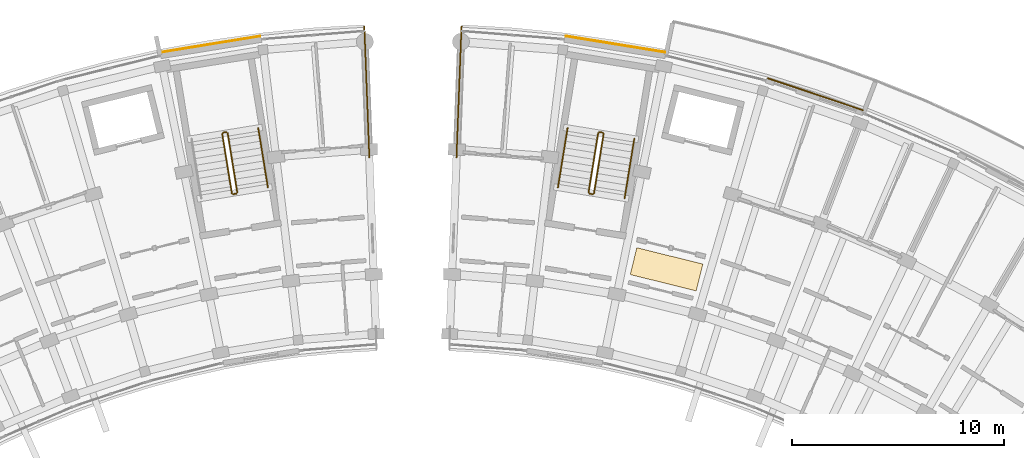
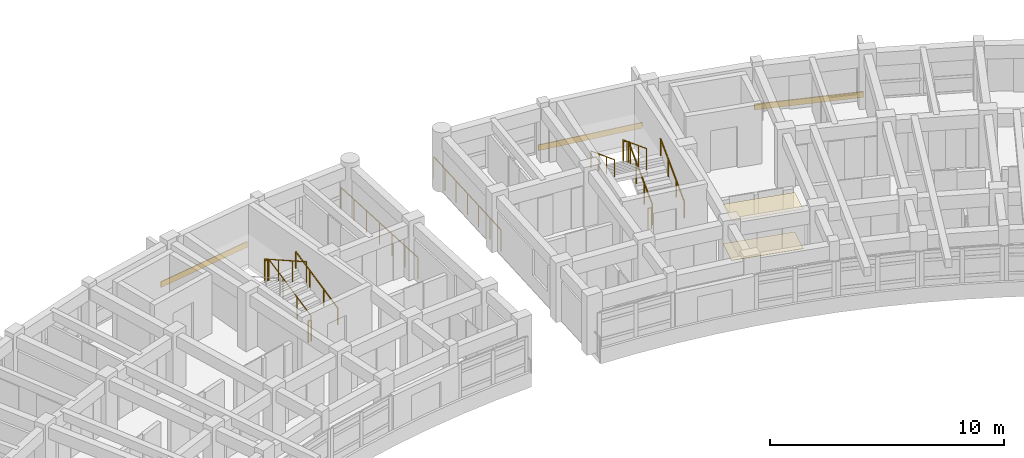
# One storey, part 45 of 55: 13 railings, 5 coverings.
"""IFC4 building model written with IfcOpenShell, lengths in metres."""

from ifc_helpers import new_model, si_unit, direction, frame, origin, origin_2d, place, context, subcontext, project, spatial, rectangle, circle, extrude, material, layer, layer_set, type_object, element, save


model = new_model("IFC4")

# Units and contexts
model_context = context("Model", 3, precision=1e-05, world=origin(), true_north=direction((0.0, 1.0)))
body_context = subcontext(model_context, "Body", "Model", "MODEL_VIEW")
ifc_project = project(units=[si_unit("LENGTHUNIT", "METRE"), si_unit("AREAUNIT", "SQUARE_METRE"), si_unit("VOLUMEUNIT", "CUBIC_METRE"), si_unit("PLANEANGLEUNIT", "RADIAN"), si_unit("MASSUNIT", "GRAM", prefix="KILO")], contexts=[model_context])

# Site, building, storey
site_placement = place(None, origin())
site = spatial("IfcSite", under=ifc_project, at=site_placement, CompositionType="ELEMENT")
building_placement = place(site_placement, origin())
building = spatial("IfcBuilding", under=site, at=building_placement, Name="Zimvara Arc Housing Community", CompositionType="ELEMENT")
storey_placement = place(building_placement, frame((0.0, 0.0, 14.300048828125)))
storey = spatial("IfcBuildingStorey", under=building, at=storey_placement, Name="L04", CompositionType="ELEMENT", Elevation=14.300048828125)

# Coverings
ifc_material_1 = material(Name="Pale-Gold Anodised Aluminium Cladding", Category="aluminium")
ifc_layer_1 = layer(ifc_material_1, 0.0400390625)
ifc_layer_set_1 = layer_set([ifc_layer_1], Name="Pale-Gold Anodised Aluminium Cladding")
covering_type_1 = type_object("IfcCoveringType", Name="CLD-GOLD-01", PredefinedType="CLADDING", material=ifc_layer_set_1)
covering_1_placement = place(storey_placement, frame((35.468505859375, 103.218994140625, 0.009765625), z_axis=(0.0, 0.0, 1.0), x_axis=(0.987080395872, 0.160225753504, 0.0)))
element("IfcCovering", 1, at=covering_1_placement, inside=storey, type_object=covering_type_1, Name="cld:blkA:L04:out:b8", PredefinedType="CLADDING", context=body_context, shape_type="SweptSolid", body=[
    extrude(rectangle(XDim=4.748779296875, YDim=0.0400390625, at=origin_2d()), origin(), (0.0, 0.0, 1.0), 0.300048828125),
])
ifc_material_2 = material(Name="Pale-Gold Anodised Aluminium Cladding", Category="aluminium")
ifc_layer_2 = layer(ifc_material_2, 0.044921875)
ifc_layer_set_2 = layer_set([ifc_layer_2], Name="Pale-Gold Anodised Aluminium Cladding")
covering_type_2 = type_object("IfcCoveringType", Name="CLD-GOLD-02", PredefinedType="CLADDING", material=ifc_layer_set_2)
covering_2_placement = place(storey_placement, frame((54.53173828125, 103.221435546875, 0.009765625), z_axis=(0.0, 0.0, 1.0), x_axis=(0.987080395872, -0.160225753504, 0.0)))
element("IfcCovering", 2, at=covering_2_placement, inside=storey, type_object=covering_type_2, Name="cld:blkB:L04:out:b1", PredefinedType="CLADDING", context=body_context, shape_type="SweptSolid", body=[
    extrude(rectangle(XDim=4.748779296875, YDim=0.044921875, at=origin_2d()), origin(), (0.0, 0.0, 1.0), 0.300048828125),
])
ifc_material_3 = material(Name="Pale-Gold Anodised Aluminium Cladding", Category="aluminium")
ifc_layer_3 = layer(ifc_material_3, 0.054931640625)
ifc_layer_set_3 = layer_set([ifc_layer_3], Name="Pale-Gold Anodised Aluminium Cladding")
covering_type_3 = type_object("IfcCoveringType", Name="CLD-GOLD-04", PredefinedType="CLADDING", material=ifc_layer_set_3)
covering_3_placement = place(storey_placement, frame((63.947509765625, 100.86669921875, 0.009765625), z_axis=(0.0, 0.0, 1.0), x_axis=(0.947879690069, -0.318628456287, 0.0)))
element("IfcCovering", 3, at=covering_3_placement, inside=storey, type_object=covering_type_3, Name="cld:blkB:L04:out:b3", PredefinedType="CLADDING", context=body_context, shape_type="SweptSolid", body=[
    extrude(rectangle(XDim=4.748779296875, YDim=0.054931640625, at=origin_2d()), origin(), (0.0, 0.0, 1.0), 0.300048828125),
])
ifc_material_4 = material(Name="Perforated Acoustic Ceiling Board")
ifc_layer_4 = layer(ifc_material_4, 0.01806640625)
ifc_layer_set_4 = layer_set([ifc_layer_4], Name="Perforated Acoustic Ceiling Board")
covering_type_4 = type_object("IfcCoveringType", Name="COV-CEIL-01", PredefinedType="CEILING", material=ifc_layer_set_4)
covering_4_placement = place(storey_placement, frame((56.938232421875, 92.625, 2.06201171875), z_axis=(0.0, 0.0, 1.0), x_axis=(0.240228042477, 0.970716481578, 0.0)))
element("IfcCovering", 4, at=covering_4_placement, inside=storey, type_object=covering_type_4, Name="ceil:blkB:L04", PredefinedType="CEILING", context=body_context, shape_type="SweptSolid", body=[
    extrude(rectangle(XDim=1.300048828125, YDim=3.199951171875, at=origin_2d()), origin(), (0.0, 0.0, 1.0), 0.01806640625),
])
ifc_material_5 = material(Name="Polished Coastal Sand Terrazzo")
ifc_layer_5 = layer(ifc_material_5, 0.02001953125)
ifc_layer_set_5 = layer_set([ifc_layer_5], Name="Polished Coastal Sand Terrazzo")
covering_type_5 = type_object("IfcCoveringType", Name="COV-FLOR-01", PredefinedType="FLOORING", material=ifc_layer_set_5)
covering_5_placement = place(storey_placement, frame((56.938232421875, 92.625, 0.0), z_axis=(0.0, 0.0, 1.0), x_axis=(0.240228042477, 0.970716481578, 0.0)))
element("IfcCovering", 5, at=covering_5_placement, inside=storey, type_object=covering_type_5, Name="flor:blkB:L04", PredefinedType="FLOORING", context=body_context, shape_type="SweptSolid", body=[
    extrude(rectangle(XDim=1.300048828125, YDim=3.199951171875, at=origin_2d()), origin(), (0.0, 0.0, 1.0), 0.02001953125),
])

# Railings
ifc_material_6 = material(Name="Anodised Aluminium AW-6063", Category="aluminium")
railing_type_1 = type_object("IfcRailingType", Name="RLG-BAL-1120", PredefinedType="BALUSTRADE", material=ifc_material_6)
railing_1_placement = place(storey_placement, frame((36.732421875, 96.243896484375, 0.155029296875)))
element("IfcRailing", 6, at=railing_1_placement, inside=storey, type_object=railing_type_1, Name="L04 ST-A2 stair guard 1", PredefinedType="BALUSTRADE", context=body_context, shape_type="SweptSolid", body=[
    extrude(circle(Radius=0.02392578125, at=origin_2d()), frame((0.0, 0.0, 1.09619140625), z_axis=(-0.143721784145, 0.885666177347, 0.441519502474), x_axis=(-0.987087819028, -0.160180016, 0.0)), (0.0, 0.0, 1.0), 3.15966796875),
    extrude(circle(Radius=0.02099609375, at=origin_2d()), origin(), (0.0, 0.0, 1.0), 1.072021484375),
    extrude(circle(Radius=0.02099609375, at=origin_2d()), frame((-0.1513671875, 0.932861328125, 0.465087890625)), (0.0, 0.0, 1.0), 1.072021484375),
    extrude(circle(Radius=0.02099609375, at=origin_2d()), frame((-0.302734375, 1.865478515625, 0.929931640625)), (0.0, 0.0, 1.0), 1.072021484375),
    extrude(circle(Radius=0.02099609375, at=origin_2d()), frame((-0.4541015625, 2.79833984375, 1.39501953125)), (0.0, 0.0, 1.0), 1.072021484375),
])
railing_2_placement = place(storey_placement, frame((36.220947265625, 99.08349609375, 1.550048828125)))
element("IfcRailing", 7, at=railing_2_placement, inside=storey, type_object=railing_type_1, Name="L04 ST-A2 stair guard 2", PredefinedType="BALUSTRADE", context=body_context, shape_type="SweptSolid", body=[
    extrude(circle(Radius=0.02392578125, at=origin_2d()), frame((0.0, 0.0, 1.09619140625), z_axis=(-0.987085924886, -0.160191687964, 0.0), x_axis=(0.160191687964, -0.987085924886, 0.0)), (0.0, 0.0, 1.0), 0.159912109375),
    extrude(circle(Radius=0.02099609375, at=origin_2d()), origin(), (0.0, 0.0, 1.0), 1.072021484375),
    extrude(circle(Radius=0.02099609375, at=origin_2d()), frame((-0.157958984375, -0.025634765625, 0.0)), (0.0, 0.0, 1.0), 1.072021484375),
])
railing_3_placement = place(storey_placement, frame((36.021728515625, 99.00048828125, 1.704833984375)))
element("IfcRailing", 8, at=railing_3_placement, inside=storey, type_object=railing_type_1, Name="L04 ST-A2 stair guard 3", PredefinedType="BALUSTRADE", context=body_context, shape_type="SweptSolid", body=[
    extrude(circle(Radius=0.02392578125, at=origin_2d()), frame((0.0, 0.0, 1.09619140625), z_axis=(0.143721784145, -0.885666177347, 0.441519502474), x_axis=(0.987087819028, 0.160180016, 0.0)), (0.0, 0.0, 1.0), 3.15966796875),
    extrude(circle(Radius=0.02099609375, at=origin_2d()), origin(), (0.0, 0.0, 1.0), 1.072021484375),
    extrude(circle(Radius=0.02099609375, at=origin_2d()), frame((0.1513671875, -0.932861328125, 0.465087890625)), (0.0, 0.0, 1.0), 1.072021484375),
    extrude(circle(Radius=0.02099609375, at=origin_2d()), frame((0.302734375, -1.865478515625, 0.929931640625)), (0.0, 0.0, 1.0), 1.072021484375),
    extrude(circle(Radius=0.02099609375, at=origin_2d()), frame((0.4541015625, -2.79833984375, 1.39501953125)), (0.0, 0.0, 1.0), 1.072021484375),
])
railing_4_placement = place(storey_placement, frame((36.691162109375, 96.1865234375, 0.0)))
element("IfcRailing", 9, at=railing_4_placement, inside=storey, type_object=railing_type_1, Name="L04 ST-A2 stair guard 4", PredefinedType="BALUSTRADE", context=body_context, shape_type="SweptSolid", body=[
    extrude(circle(Radius=0.02392578125, at=origin_2d()), frame((0.0, 0.0, 1.09619140625), z_axis=(-0.987085924886, -0.160191687964, 0.0), x_axis=(0.160191687964, -0.987085924886, 0.0)), (0.0, 0.0, 1.0), 0.159912109375),
    extrude(circle(Radius=0.02099609375, at=origin_2d()), origin(), (0.0, 0.0, 1.0), 1.072021484375),
    extrude(circle(Radius=0.02099609375, at=origin_2d()), frame((-0.157958984375, -0.025634765625, 0.0)), (0.0, 0.0, 1.0), 1.072021484375),
])
railing_5_placement = place(storey_placement, frame((53.524169921875, 96.2021484375, 0.155029296875)))
element("IfcRailing", 10, at=railing_5_placement, inside=storey, type_object=railing_type_1, Name="L04 ST-B1 stair guard 1", PredefinedType="BALUSTRADE", context=body_context, shape_type="SweptSolid", body=[
    extrude(circle(Radius=0.02392578125, at=origin_2d()), frame((0.0, 0.0, 1.09619140625), z_axis=(0.143721784145, 0.885666177347, 0.441519502474), x_axis=(-0.987087819028, 0.160180016, 0.0)), (0.0, 0.0, 1.0), 3.15966796875),
    extrude(circle(Radius=0.02099609375, at=origin_2d()), origin(), (0.0, 0.0, 1.0), 1.072021484375),
    extrude(circle(Radius=0.02099609375, at=origin_2d()), frame((0.1513671875, 0.932861328125, 0.465087890625)), (0.0, 0.0, 1.0), 1.072021484375),
    extrude(circle(Radius=0.02099609375, at=origin_2d()), frame((0.302734375, 1.865478515625, 0.929931640625)), (0.0, 0.0, 1.0), 1.072021484375),
    extrude(circle(Radius=0.02099609375, at=origin_2d()), frame((0.4541015625, 2.79833984375, 1.39501953125)), (0.0, 0.0, 1.0), 1.072021484375),
])
railing_6_placement = place(storey_placement, frame((53.93701171875, 99.057861328125, 1.550048828125)))
element("IfcRailing", 11, at=railing_6_placement, inside=storey, type_object=railing_type_1, Name="L04 ST-B1 stair guard 2", PredefinedType="BALUSTRADE", context=body_context, shape_type="SweptSolid", body=[
    extrude(circle(Radius=0.02392578125, at=origin_2d()), frame((0.0, 0.0, 1.09619140625), z_axis=(-0.987085924886, 0.160191687964, 0.0), x_axis=(-0.160191687964, -0.987085924886, 0.0)), (0.0, 0.0, 1.0), 0.159912109375),
    extrude(circle(Radius=0.02099609375, at=origin_2d()), origin(), (0.0, 0.0, 1.0), 1.072021484375),
    extrude(circle(Radius=0.02099609375, at=origin_2d()), frame((-0.157958984375, 0.025634765625, 0.0)), (0.0, 0.0, 1.0), 1.072021484375),
])
railing_7_placement = place(storey_placement, frame((53.7216796875, 99.042236328125, 1.704833984375)))
element("IfcRailing", 12, at=railing_7_placement, inside=storey, type_object=railing_type_1, Name="L04 ST-B1 stair guard 3", PredefinedType="BALUSTRADE", context=body_context, shape_type="SweptSolid", body=[
    extrude(circle(Radius=0.02392578125, at=origin_2d()), frame((0.0, 0.0, 1.09619140625), z_axis=(-0.143721784145, -0.885666177347, 0.441519502474), x_axis=(0.987087819028, -0.160180016, 0.0)), (0.0, 0.0, 1.0), 3.15966796875),
    extrude(circle(Radius=0.02099609375, at=origin_2d()), origin(), (0.0, 0.0, 1.0), 1.072021484375),
    extrude(circle(Radius=0.02099609375, at=origin_2d()), frame((-0.1513671875, -0.932861328125, 0.465087890625)), (0.0, 0.0, 1.0), 1.072021484375),
    extrude(circle(Radius=0.02099609375, at=origin_2d()), frame((-0.302734375, -1.865478515625, 0.929931640625)), (0.0, 0.0, 1.0), 1.072021484375),
    extrude(circle(Radius=0.02099609375, at=origin_2d()), frame((-0.4541015625, -2.79833984375, 1.39501953125)), (0.0, 0.0, 1.0), 1.072021484375),
])
railing_8_placement = place(storey_placement, frame((53.466796875, 96.160888671875, 0.0)))
element("IfcRailing", 13, at=railing_8_placement, inside=storey, type_object=railing_type_1, Name="L04 ST-B1 stair guard 4", PredefinedType="BALUSTRADE", context=body_context, shape_type="SweptSolid", body=[
    extrude(circle(Radius=0.02392578125, at=origin_2d()), frame((0.0, 0.0, 1.09619140625), z_axis=(-0.987085924886, 0.160191687964, 0.0), x_axis=(-0.160191687964, -0.987085924886, 0.0)), (0.0, 0.0, 1.0), 0.159912109375),
    extrude(circle(Radius=0.02099609375, at=origin_2d()), origin(), (0.0, 0.0, 1.0), 1.072021484375),
    extrude(circle(Radius=0.02099609375, at=origin_2d()), frame((-0.157958984375, 0.025634765625, 0.0)), (0.0, 0.0, 1.0), 1.072021484375),
])
ifc_material_7 = material(Name="Anodised Aluminium AW-6063", Category="aluminium")
railing_type_2 = type_object("IfcRailingType", Name="RLG-BAL-1150", PredefinedType="BALUSTRADE", material=ifc_material_7)
railing_9_placement = place(storey_placement, frame((42.948486328125, 97.900634765625, 0.0)))
element("IfcRailing", 14, at=railing_9_placement, inside=storey, type_object=railing_type_2, Name="rlg:blkA:L04:gable_out:gN", PredefinedType="BALUSTRADE", context=body_context, shape_type="SweptSolid", body=[
    extrude(circle(Radius=0.02392578125, at=origin_2d()), frame((0.0, 0.0, 1.1259765625), z_axis=(-0.038364627964, 0.99926380667, 0.0), x_axis=(-0.99926380667, -0.038364627964, 0.0)), (0.0, 0.0, 1.0), 6.16015625),
    extrude(circle(Radius=0.02099609375, at=origin_2d()), origin(), (0.0, 0.0, 1.0), 1.101806640625),
    extrude(circle(Radius=0.02099609375, at=origin_2d()), frame((-0.039306640625, 1.02587890625, 0.0)), (0.0, 0.0, 1.0), 1.101806640625),
    extrude(circle(Radius=0.02099609375, at=origin_2d()), frame((-0.078857421875, 2.0517578125, 0.0)), (0.0, 0.0, 1.0), 1.101806640625),
    extrude(circle(Radius=0.02099609375, at=origin_2d()), frame((-0.1181640625, 3.07763671875, 0.0)), (0.0, 0.0, 1.0), 1.101806640625),
    extrude(circle(Radius=0.02099609375, at=origin_2d()), frame((-0.157470703125, 4.103759765625, 0.0)), (0.0, 0.0, 1.0), 1.101806640625),
    extrude(circle(Radius=0.02099609375, at=origin_2d()), frame((-0.197021484375, 5.129638671875, 0.0)), (0.0, 0.0, 1.0), 1.101806640625),
    extrude(circle(Radius=0.02099609375, at=origin_2d()), frame((-0.236328125, 6.155517578125, 0.0)), (0.0, 0.0, 1.0), 1.101806640625),
])
railing_10_placement = place(storey_placement, frame((47.051513671875, 97.900634765625, 0.0)))
element("IfcRailing", 15, at=railing_10_placement, inside=storey, type_object=railing_type_2, Name="rlg:blkB:L04:gable_out:g0", PredefinedType="BALUSTRADE", context=body_context, shape_type="SweptSolid", body=[
    extrude(circle(Radius=0.02392578125, at=origin_2d()), frame((0.0, 0.0, 1.1259765625), z_axis=(0.038364627964, 0.99926380667, 0.0), x_axis=(-0.99926380667, 0.038364627964, 0.0)), (0.0, 0.0, 1.0), 6.16015625),
    extrude(circle(Radius=0.02099609375, at=origin_2d()), origin(), (0.0, 0.0, 1.0), 1.101806640625),
    extrude(circle(Radius=0.02099609375, at=origin_2d()), frame((0.039306640625, 1.02587890625, 0.0)), (0.0, 0.0, 1.0), 1.101806640625),
    extrude(circle(Radius=0.02099609375, at=origin_2d()), frame((0.078857421875, 2.0517578125, 0.0)), (0.0, 0.0, 1.0), 1.101806640625),
    extrude(circle(Radius=0.02099609375, at=origin_2d()), frame((0.1181640625, 3.07763671875, 0.0)), (0.0, 0.0, 1.0), 1.101806640625),
    extrude(circle(Radius=0.02099609375, at=origin_2d()), frame((0.157470703125, 4.103759765625, 0.0)), (0.0, 0.0, 1.0), 1.101806640625),
    extrude(circle(Radius=0.02099609375, at=origin_2d()), frame((0.197021484375, 5.129638671875, 0.0)), (0.0, 0.0, 1.0), 1.101806640625),
    extrude(circle(Radius=0.02099609375, at=origin_2d()), frame((0.236328125, 6.155517578125, 0.0)), (0.0, 0.0, 1.0), 1.101806640625),
])
ifc_material_8 = material(Name="Anodised Aluminium AW-6063", Category="aluminium")
railing_type_3 = type_object("IfcRailingType", Name="RLG-HND-900", PredefinedType="HANDRAIL", material=ifc_material_8)
railing_11_placement = place(storey_placement, frame((38.173583984375, 96.477783203125, 0.155029296875)))
element("IfcRailing", 16, at=railing_11_placement, inside=storey, type_object=railing_type_3, Name="L04 ST-A2 stair handrail 1", PredefinedType="HANDRAIL", context=body_context, shape_type="SweptSolid", body=[
    extrude(circle(Radius=0.02392578125, at=origin_2d()), frame((0.0, 0.0, 0.8759765625), z_axis=(-0.143721784145, 0.885666177347, 0.441519502474), x_axis=(-0.987087819028, -0.160180016, 0.0)), (0.0, 0.0, 1.0), 3.15966796875),
    extrude(circle(Radius=0.02099609375, at=origin_2d()), origin(), (0.0, 0.0, 1.0), 0.851806640625),
    extrude(circle(Radius=0.02099609375, at=origin_2d()), frame((-0.1513671875, 0.932861328125, 0.465087890625)), (0.0, 0.0, 1.0), 0.851806640625),
    extrude(circle(Radius=0.02099609375, at=origin_2d()), frame((-0.302734375, 1.865478515625, 0.929931640625)), (0.0, 0.0, 1.0), 0.851806640625),
    extrude(circle(Radius=0.02099609375, at=origin_2d()), frame((-0.4541015625, 2.79833984375, 1.39501953125)), (0.0, 0.0, 1.0), 0.851806640625),
])
railing_12_placement = place(storey_placement, frame((54.96533203125, 95.96826171875, 0.155029296875)))
element("IfcRailing", 17, at=railing_12_placement, inside=storey, type_object=railing_type_3, Name="L04 ST-B1 stair handrail 1", PredefinedType="HANDRAIL", context=body_context, shape_type="SweptSolid", body=[
    extrude(circle(Radius=0.02392578125, at=origin_2d()), frame((0.0, 0.0, 0.8759765625), z_axis=(0.143721784145, 0.885666177347, 0.441519502474), x_axis=(-0.987087819028, 0.160180016, 0.0)), (0.0, 0.0, 1.0), 3.15966796875),
    extrude(circle(Radius=0.02099609375, at=origin_2d()), origin(), (0.0, 0.0, 1.0), 0.851806640625),
    extrude(circle(Radius=0.02099609375, at=origin_2d()), frame((0.1513671875, 0.932861328125, 0.465087890625)), (0.0, 0.0, 1.0), 0.851806640625),
    extrude(circle(Radius=0.02099609375, at=origin_2d()), frame((0.302734375, 1.865478515625, 0.929931640625)), (0.0, 0.0, 1.0), 0.851806640625),
    extrude(circle(Radius=0.02099609375, at=origin_2d()), frame((0.4541015625, 2.79833984375, 1.39501953125)), (0.0, 0.0, 1.0), 0.851806640625),
])
railing_13_placement = place(storey_placement, frame((52.280517578125, 99.276123046875, 1.704833984375)))
element("IfcRailing", 18, at=railing_13_placement, inside=storey, type_object=railing_type_3, Name="L04 ST-B1 stair handrail 2", PredefinedType="HANDRAIL", context=body_context, shape_type="SweptSolid", body=[
    extrude(circle(Radius=0.02392578125, at=origin_2d()), frame((0.0, 0.0, 0.8759765625), z_axis=(-0.143721784145, -0.885666177347, 0.441519502474), x_axis=(0.987087819028, -0.160180016, 0.0)), (0.0, 0.0, 1.0), 3.15966796875),
    extrude(circle(Radius=0.02099609375, at=origin_2d()), origin(), (0.0, 0.0, 1.0), 0.851806640625),
    extrude(circle(Radius=0.02099609375, at=origin_2d()), frame((-0.1513671875, -0.932861328125, 0.465087890625)), (0.0, 0.0, 1.0), 0.851806640625),
    extrude(circle(Radius=0.02099609375, at=origin_2d()), frame((-0.302734375, -1.865478515625, 0.929931640625)), (0.0, 0.0, 1.0), 0.851806640625),
    extrude(circle(Radius=0.02099609375, at=origin_2d()), frame((-0.4541015625, -2.79833984375, 1.39501953125)), (0.0, 0.0, 1.0), 0.851806640625),
])

save(model, "model.ifc")
